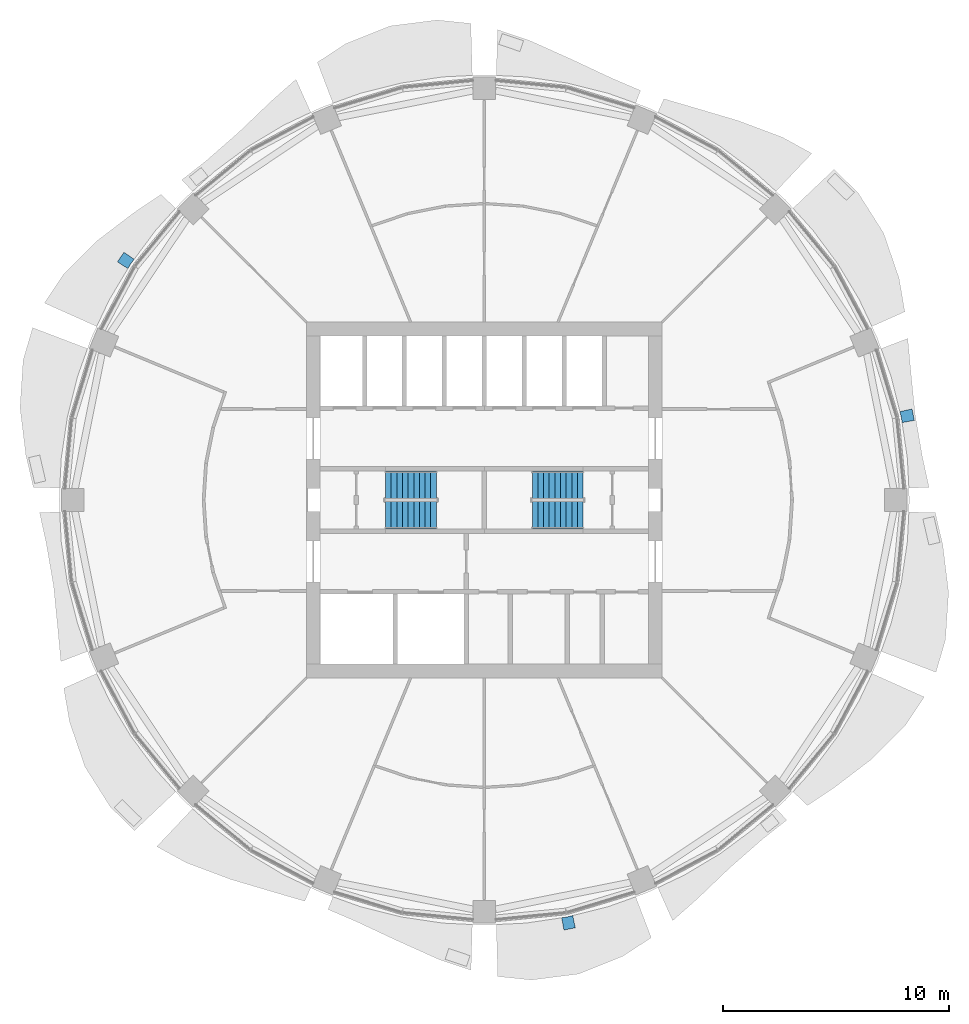
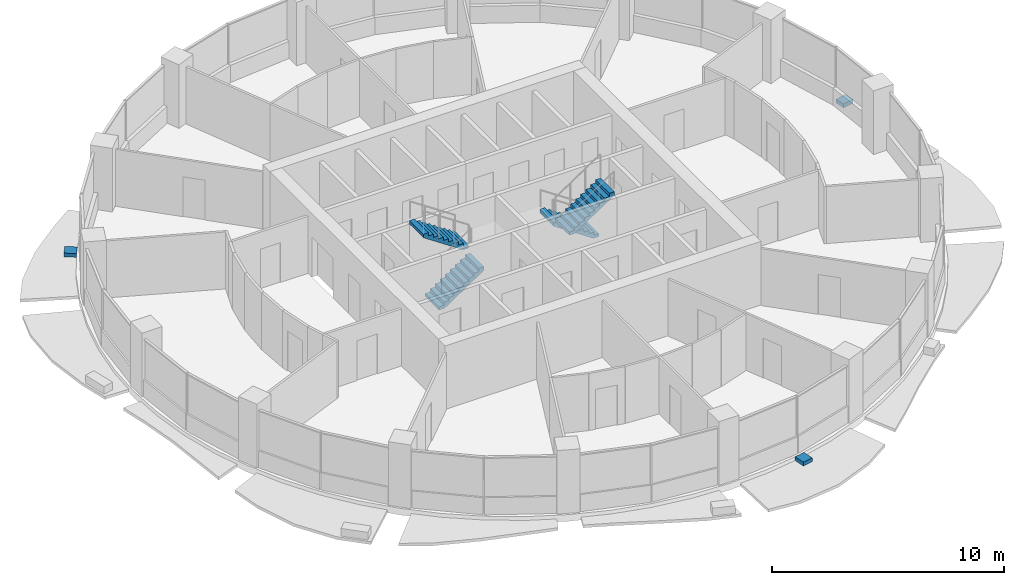
# One storey, part 11 of 15: 4 stair flights, 3 discrete accessories, 2 elements without a shape of their own.
"""IFC4 building model written with IfcOpenShell, lengths in metres."""

from ifc_helpers import new_model, si_unit, direction, frame, origin, place, context, subcontext, project, spatial, polyline, outline, extrude, material, type_object, element, aggregate, save


model = new_model("IFC4")

# Units and contexts
model_context = context("Model", 3, precision=1e-05, world=origin(), true_north=direction((0.0, 1.0)))
body_context = subcontext(model_context, "Body", "Model", "MODEL_VIEW")
ifc_project = project(units=[si_unit("LENGTHUNIT", "METRE"), si_unit("AREAUNIT", "SQUARE_METRE"), si_unit("VOLUMEUNIT", "CUBIC_METRE"), si_unit("PLANEANGLEUNIT", "RADIAN"), si_unit("MASSUNIT", "GRAM", prefix="KILO")], contexts=[model_context])

# Site, building, storey
site_placement = place(None, origin())
site = spatial("IfcSite", under=ifc_project, at=site_placement, CompositionType="ELEMENT")
building_placement = place(site_placement, origin())
building = spatial("IfcBuilding", under=site, at=building_placement, Name="Polderwave Tower", CompositionType="ELEMENT")
storey_placement = place(building_placement, frame((0.0, 0.0, 151.10009765625)))
storey = spatial("IfcBuildingStorey", under=building, at=storey_placement, Name="L40", CompositionType="ELEMENT", Elevation=151.10009765625)

# Stair, stair flights
ifc_material_1 = material(Name="Concrete C40/50", Category="concrete")
stair_type = type_object("IfcStairType", Name="Exit stair 1200 x 20 risers", PredefinedType="HALF_TURN_STAIR", material=ifc_material_1)
stair_1_placement = place(storey_placement, origin())
stair_1 = element("IfcStair", 1, at=stair_1_placement, inside=storey, type_object=stair_type, Name="L40 Exit stair A", PredefinedType="HALF_TURN_STAIR")
stair_flight_type = type_object("IfcStairFlightType", Name="Stair flight 1200", PredefinedType="STRAIGHT", material=ifc_material_1)
stair_flight_1_placement = place(storey_placement, frame((-4.3740234375, -0.675048828125, 0.0), z_axis=(0.0, 0.0, 1.0), x_axis=(1.0, 0.0, 0.0)))
stair_flight_1 = element("IfcStairFlight", 2, at=stair_flight_1_placement, type_object=stair_flight_type, Name="ST-A flight 1", NumberOfRisers=10, NumberOfTreads=9, PredefinedType="STRAIGHT", RiserHeight=0.1675, TreadLength=0.25, context=body_context, shape_type="SweptSolid", body=[
    extrude(outline(polyline([(0.0, 0.0), (0.0, 0.16748046875), (0.25, 0.16748046875), (0.25, 0.3349609375), (0.5, 0.3349609375), (0.5, 0.50244140625), (0.75, 0.50244140625), (0.75, 0.669921875), (1.0, 0.669921875), (1.0, 0.83740234375), (1.25, 0.83740234375), (1.25, 1.0048828125), (1.5, 1.0048828125), (1.5, 1.172607421875), (1.75, 1.172607421875), (1.75, 1.340087890625), (2.0, 1.340087890625), (2.0, 1.507568359375), (2.25, 1.507568359375), (2.25, 1.675048828125), (2.25, 1.3271484375), (0.269287109375, 0.0), (0.0, 0.0)])), frame((0.0, 0.60009765625, 0.0), z_axis=(0.0, -1.0, 0.0), x_axis=(1.0, 0.0, 0.0)), (0.0, 0.0, 1.0), 1.199951171875),
])
stair_flight_2_placement = place(storey_placement, frame((-2.1240234375, 0.675048828125, 1.6748046875), z_axis=(0.0, 0.0, 1.0), x_axis=(-1.0, 0.0, 0.0)))
stair_flight_2 = element("IfcStairFlight", 3, at=stair_flight_2_placement, type_object=stair_flight_type, Name="ST-A flight 2", NumberOfRisers=10, NumberOfTreads=9, PredefinedType="STRAIGHT", RiserHeight=0.1675, TreadLength=0.25, context=body_context, shape_type="SweptSolid", body=[
    extrude(outline(polyline([(0.0, 0.0), (0.0, 0.16748046875), (0.25, 0.16748046875), (0.25, 0.3349609375), (0.5, 0.3349609375), (0.5, 0.50244140625), (0.75, 0.50244140625), (0.75, 0.669921875), (1.0, 0.669921875), (1.0, 0.83740234375), (1.25, 0.83740234375), (1.25, 1.0048828125), (1.5, 1.0048828125), (1.5, 1.172607421875), (1.75, 1.172607421875), (1.75, 1.340087890625), (2.0, 1.340087890625), (2.0, 1.507568359375), (2.25, 1.507568359375), (2.25, 1.675048828125), (2.25, 1.3271484375), (0.269287109375, 0.0), (0.0, 0.0)])), frame((0.0, 0.60009765625, 0.0), z_axis=(0.0, -1.0, 0.0), x_axis=(1.0, 0.0, 0.0)), (0.0, 0.0, 1.0), 1.199951171875),
])
aggregate(stair_1, [stair_flight_1, stair_flight_2])

stair_2_placement = place(storey_placement, origin())
stair_2 = element("IfcStair", 4, at=stair_2_placement, inside=storey, type_object=stair_type, Name="L40 Exit stair B", PredefinedType="HALF_TURN_STAIR")
stair_flight_3_placement = place(storey_placement, frame((4.3740234375, 0.675048828125, 0.0), z_axis=(0.0, 0.0, 1.0), x_axis=(-1.0, 0.0, 0.0)))
stair_flight_3 = element("IfcStairFlight", 5, at=stair_flight_3_placement, type_object=stair_flight_type, Name="ST-B flight 1", NumberOfRisers=10, NumberOfTreads=9, PredefinedType="STRAIGHT", RiserHeight=0.1675, TreadLength=0.25, context=body_context, shape_type="SweptSolid", body=[
    extrude(outline(polyline([(0.0, 0.0), (0.0, 0.16748046875), (0.25, 0.16748046875), (0.25, 0.3349609375), (0.5, 0.3349609375), (0.5, 0.50244140625), (0.75, 0.50244140625), (0.75, 0.669921875), (1.0, 0.669921875), (1.0, 0.83740234375), (1.25, 0.83740234375), (1.25, 1.0048828125), (1.5, 1.0048828125), (1.5, 1.172607421875), (1.75, 1.172607421875), (1.75, 1.340087890625), (2.0, 1.340087890625), (2.0, 1.507568359375), (2.25, 1.507568359375), (2.25, 1.675048828125), (2.25, 1.3271484375), (0.269287109375, 0.0), (0.0, 0.0)])), frame((0.0, 0.60009765625, 0.0), z_axis=(0.0, -1.0, 0.0), x_axis=(1.0, 0.0, 0.0)), (0.0, 0.0, 1.0), 1.199951171875),
])
stair_flight_4_placement = place(storey_placement, frame((2.1240234375, -0.675048828125, 1.6748046875), z_axis=(0.0, 0.0, 1.0), x_axis=(1.0, 0.0, 0.0)))
stair_flight_4 = element("IfcStairFlight", 6, at=stair_flight_4_placement, type_object=stair_flight_type, Name="ST-B flight 2", NumberOfRisers=10, NumberOfTreads=9, PredefinedType="STRAIGHT", RiserHeight=0.1675, TreadLength=0.25, context=body_context, shape_type="SweptSolid", body=[
    extrude(outline(polyline([(0.0, 0.0), (0.0, 0.16748046875), (0.25, 0.16748046875), (0.25, 0.3349609375), (0.5, 0.3349609375), (0.5, 0.50244140625), (0.75, 0.50244140625), (0.75, 0.669921875), (1.0, 0.669921875), (1.0, 0.83740234375), (1.25, 0.83740234375), (1.25, 1.0048828125), (1.5, 1.0048828125), (1.5, 1.172607421875), (1.75, 1.172607421875), (1.75, 1.340087890625), (2.0, 1.340087890625), (2.0, 1.507568359375), (2.25, 1.507568359375), (2.25, 1.675048828125), (2.25, 1.3271484375), (0.269287109375, 0.0), (0.0, 0.0)])), frame((0.0, 0.60009765625, 0.0), z_axis=(0.0, -1.0, 0.0), x_axis=(1.0, 0.0, 0.0)), (0.0, 0.0, 1.0), 1.199951171875),
])
aggregate(stair_2, [stair_flight_3, stair_flight_4])

# Discrete accessories
ifc_material_2 = material(Name="Steel S355", Category="steel")
discrete_accessory_type = type_object("IfcDiscreteAccessoryType", Name="Band bracket pad", PredefinedType="BRACKET", material=ifc_material_2)
discrete_accessory_1_placement = place(storey_placement, frame((0.0, 0.0, -0.2001953125)))
element("IfcDiscreteAccessory", 7, at=discrete_accessory_1_placement, inside=storey, type_object=discrete_accessory_type, Name="Band bracket L40 1", PredefinedType="BRACKET", context=body_context, shape_type="SweptSolid", body=[
    extrude(outline(polyline([(18.5048828125, 3.42626953125), (18.46826171875, 3.673583984375), (18.407470703125, 3.916015625), (18.9453125, 4.030517578125), (19.045654296875, 3.5263671875), (18.5048828125, 3.42626953125)])), origin(), (0.0, 0.0, 1.0), 0.2001953125),
])
discrete_accessory_2_placement = place(storey_placement, frame((0.0, 0.0, -0.2001953125)))
element("IfcDiscreteAccessory", 8, at=discrete_accessory_2_placement, inside=storey, type_object=discrete_accessory_type, Name="Band bracket L40 7", PredefinedType="BRACKET", context=body_context, shape_type="SweptSolid", body=[
    extrude(outline(polyline([(-15.507568359375, 10.662109375), (-15.656494140625, 10.46142578125), (-15.78515625, 10.2470703125), (-16.246337890625, 10.54638671875), (-15.9609375, 10.973876953125), (-15.507568359375, 10.662109375)])), origin(), (0.0, 0.0, 1.0), 0.2001953125),
])
discrete_accessory_3_placement = place(storey_placement, frame((0.0, 0.0, -0.2001953125)))
element("IfcDiscreteAccessory", 9, at=discrete_accessory_3_placement, inside=storey, type_object=discrete_accessory_type, Name="Band bracket L40 13", PredefinedType="BRACKET", context=body_context, shape_type="SweptSolid", body=[
    extrude(outline(polyline([(3.42626953125, -18.5048828125), (3.673583984375, -18.46826171875), (3.916015625, -18.407470703125), (4.030517578125, -18.9453125), (3.5263671875, -19.045654296875), (3.42626953125, -18.5048828125)])), origin(), (0.0, 0.0, 1.0), 0.2001953125),
])

save(model, "model.ifc")
